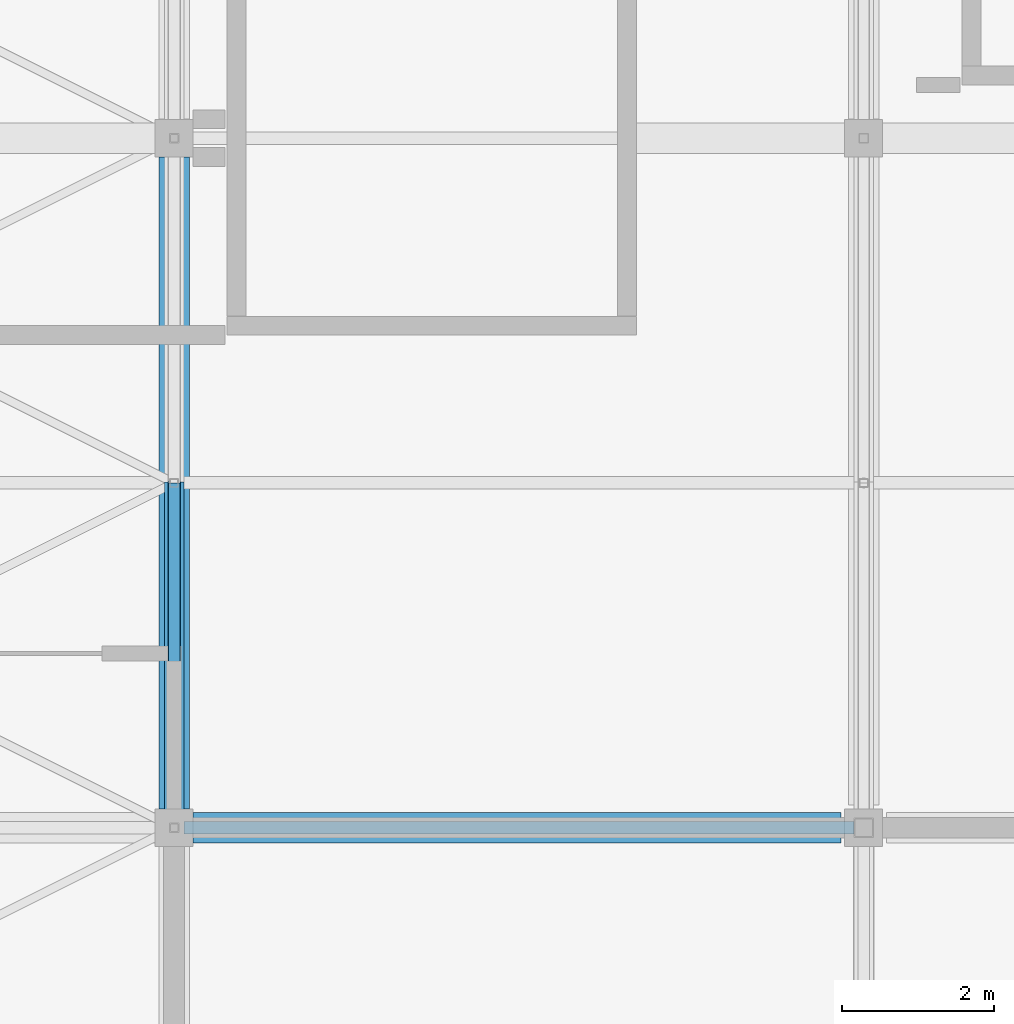
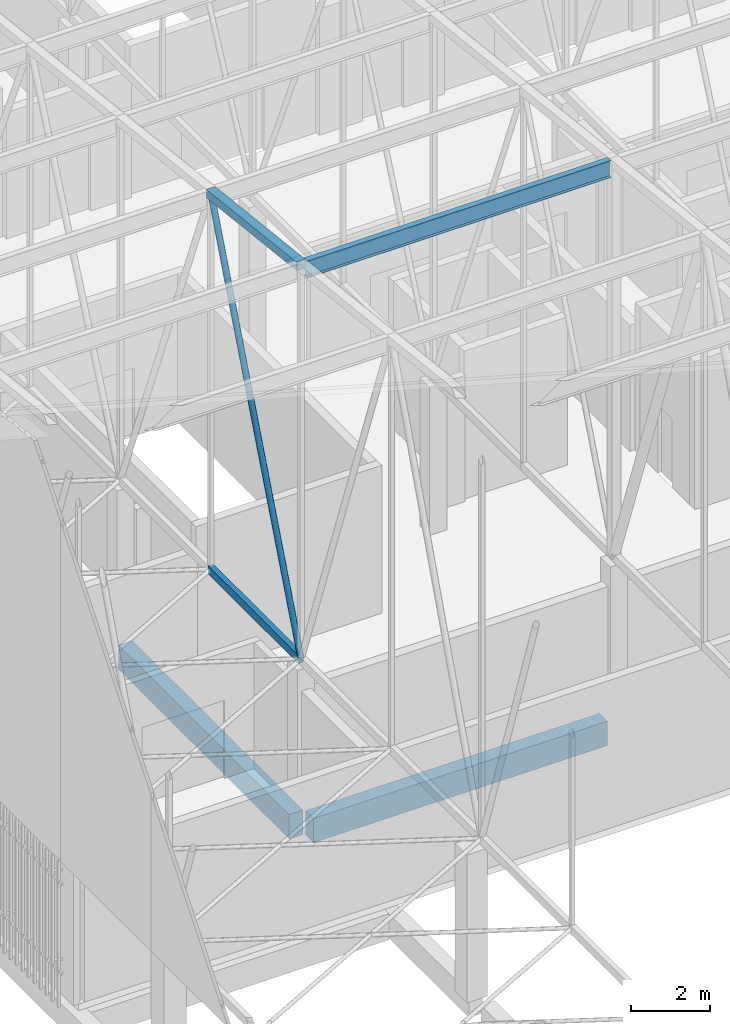
# One storey, part 184 of 500: 4 members, 2 beams.
"""IFC4 building model written with IfcOpenShell, lengths in metres."""

import ifcopenshell
import ifcopenshell.guid

model = None  # the IFC model being written
_history = None  # IfcOwnerHistory: only IFC2X3 demands one
_inside = {}  # id of a spatial element -> (the spatial element, [elements in it])
_under = {}  # id of a project, library or spatial element -> (it, [spatial elements below it])
_declared = {}  # id of a project -> (the project, [libraries it declares])
_typed = {}  # id of a type object -> (the type object, [elements of that type])
_made_of = {}  # id of a material, layer set ... -> (it, [elements and type objects made of it])


def new_model(schema):
    """Start an empty IFC model of exactly this schema.

    Asked for "IFC4X3", IfcOpenShell would pick the latest addendum, in which some entities
    have other attributes; the version numbers below select the first issue.
    IFC2X3 requires an IfcOwnerHistory on every rooted entity: one is made here for all.
    """
    global model, _history
    if schema == "IFC4X3":
        model = ifcopenshell.file(schema_version=(4, 3, 0, 0))
    else:
        model = ifcopenshell.file(schema=schema)
    _inside.clear()
    _under.clear()
    _declared.clear()
    _typed.clear()
    _made_of.clear()
    _history = None
    if model.schema == "IFC2X3":
        org = make("IfcOrganization", Name="unknown")
        user = make(
            "IfcPersonAndOrganization",
            ThePerson=make("IfcPerson", FamilyName="unknown"),
            TheOrganization=org,
        )
        app = make(
            "IfcApplication",
            ApplicationDeveloper=org,
            Version="unknown",
            ApplicationFullName="unknown",
            ApplicationIdentifier="unknown",
        )
        _history = make(
            "IfcOwnerHistory",
            OwningUser=user,
            OwningApplication=app,
            ChangeAction="ADDED",
            CreationDate=0,
        )
    return model


def make(cls, **values):
    """One entity of the class cls with the attributes given. An attribute that is None is left unset."""
    return model.create_entity(
        cls, **{name: value for name, value in values.items() if value is not None}
    )


def rooted(cls, **values):
    """An entity with a GlobalId (a new one), such as an element, a storey or a relation."""
    return make(cls, GlobalId=ifcopenshell.guid.new(), OwnerHistory=_history, **values)


def si_unit(unit_type, name, prefix=None):
    """IfcSIUnit, for example si_unit("LENGTHUNIT", "METRE", prefix="MILLI")."""
    return make("IfcSIUnit", UnitType=unit_type, Prefix=prefix, Name=name)


def assignment(units):
    """IfcUnitAssignment: the units of a project."""
    return None if units is None else make("IfcUnitAssignment", Units=units)


def point(xyz):
    """IfcCartesianPoint."""
    return None if xyz is None else make("IfcCartesianPoint", Coordinates=xyz)


def direction(xyz):
    """IfcDirection."""
    return None if xyz is None else make("IfcDirection", DirectionRatios=xyz)


def frame(location, z_axis=None, x_axis=None):
    """IfcAxis2Placement3D, a coordinate frame: its origin and axes. An axis left out is left unset."""
    return make(
        "IfcAxis2Placement3D",
        Location=point(location),
        Axis=direction(z_axis),
        RefDirection=direction(x_axis),
    )


def frame_2d(location, x_axis=None):
    """IfcAxis2Placement2D, a coordinate frame in the plane: its origin and x axis."""
    return make(
        "IfcAxis2Placement2D", Location=point(location), RefDirection=direction(x_axis)
    )


def origin():
    """The frame at (0, 0, 0) with its axes left unset."""
    return frame((0.0, 0.0, 0.0))


def origin_2d():
    """The frame at (0, 0) in the plane with its x axis left unset."""
    return frame_2d((0.0, 0.0))


def place(relative_to, where):
    """IfcLocalPlacement: puts the frame where relative to a parent placement (None: the world)."""
    return make(
        "IfcLocalPlacement", PlacementRelTo=relative_to, RelativePlacement=where
    )


def context(
    kind, dimensions, precision=None, world=None, true_north=None, identifier=None
):
    """IfcGeometricRepresentationContext, for example the 3D "Model" context."""
    return make(
        "IfcGeometricRepresentationContext",
        ContextIdentifier=identifier,
        ContextType=kind,
        CoordinateSpaceDimension=dimensions,
        Precision=precision,
        WorldCoordinateSystem=world,
        TrueNorth=true_north,
    )


def subcontext(parent, identifier, kind, view, scale=None):
    """IfcGeometricRepresentationSubContext, for example "Body" below "Model"."""
    return make(
        "IfcGeometricRepresentationSubContext",
        ContextIdentifier=identifier,
        ContextType=kind,
        ParentContext=parent,
        TargetScale=scale,
        TargetView=view,
    )


def project(units=None, contexts=None):
    """IfcProject with its units and contexts."""
    return rooted(
        "IfcProject",
        Name="project",
        RepresentationContexts=contexts,
        UnitsInContext=assignment(units),
    )


def spatial(cls, under=None, at=None, **own):
    """A site, building, storey or space (cls), placed at a placement, below another one or the project."""
    s = rooted(cls, ObjectPlacement=at, **own)
    if under is not None:
        _under.setdefault(under.id(), (under, []))[1].append(s)
    return s


def profile(cls, at=None, kind="AREA", **sizes):
    """A parametric profile (cls). Its sizes go by their IFC names, for example OverallWidth=200.0."""
    return make(cls, ProfileType=kind, Position=at, **sizes)


def rectangle(**sizes):
    """IfcRectangleProfileDef."""
    return profile("IfcRectangleProfileDef", **sizes)


def hollow_rectangle(**sizes):
    """IfcRectangleHollowProfileDef."""
    return profile("IfcRectangleHollowProfileDef", **sizes)


def hollow_circle(**sizes):
    """IfcCircleHollowProfileDef."""
    return profile("IfcCircleHollowProfileDef", **sizes)


def i_section(**sizes):
    """IfcIShapeProfileDef."""
    return profile("IfcIShapeProfileDef", **sizes)


def extrude(swept, where, along, depth):
    """IfcExtrudedAreaSolid: the profile swept, set in the frame where, extruded along a direction by depth."""
    return make(
        "IfcExtrudedAreaSolid",
        SweptArea=swept,
        Position=where,
        ExtrudedDirection=direction(along),
        Depth=depth,
    )


def shape(context_of_items, identifier, shape_type, items):
    """IfcShapeRepresentation: the items that make up one representation, for example the "Body"."""
    return make(
        "IfcShapeRepresentation",
        ContextOfItems=context_of_items,
        RepresentationIdentifier=identifier,
        RepresentationType=shape_type,
        Items=items,
    )


def material(Name=None, Category=None):
    """IfcMaterial."""
    return make("IfcMaterial", Name=Name, Category=Category)


def material_profile(
    of_material, cross_section, Name=None, Category=None, Priority=None
):
    """IfcMaterialProfile: a cross section and its material."""
    return make(
        "IfcMaterialProfile",
        Name=Name,
        Material=of_material,
        Profile=cross_section,
        Priority=Priority,
        Category=Category,
    )


def profile_set(profiles, Name=None, composite=None):
    """IfcMaterialProfileSet."""
    return make(
        "IfcMaterialProfileSet",
        Name=Name,
        MaterialProfiles=profiles,
        CompositeProfile=composite,
    )


def made_of(thing, what):
    """Note that an element or type object is made of a material, layer set ...; save() writes the relation."""
    if what is not None:
        _made_of.setdefault(what.id(), (what, []))[1].append(thing)
    return thing


def type_object(cls, material=None, **own):
    """A type object (cls), such as IfcWallType, which elements share."""
    return made_of(rooted(cls, **own), material)


def element(
    cls,
    number,
    at=None,
    inside=None,
    cuts=None,
    type_object=None,
    material=None,
    context=None,
    identifier="Body",
    shape_type=None,
    held_by="IfcProductDefinitionShape",
    body=None,
    shapes=None,
    **own,
):
    """One element of the class cls, such as IfcWall. Its Tag is "e" and its number.

    at: its placement. inside: the storey or other place that contains it. cuts: it is an
    opening in that element (IfcRelVoidsElement). A single representation is given by context,
    identifier, shape_type and body (its items); several are given by shapes. held_by: the class
    of the entity that holds the representations. save() writes the other relations.
    """
    e = rooted(cls, Tag="e%d" % number, ObjectPlacement=at, **own)
    if body is not None:
        shapes = [shape(context, identifier, shape_type, body)]
    if shapes is not None:
        e.Representation = make(held_by, Representations=shapes)
    if inside is not None:
        _inside.setdefault(inside.id(), (inside, []))[1].append(e)
    if cuts is not None:
        rooted(
            "IfcRelVoidsElement", RelatingBuildingElement=cuts, RelatedOpeningElement=e
        )
    if type_object is not None:
        _typed.setdefault(type_object.id(), (type_object, []))[1].append(e)
    return made_of(e, material)


def aggregate(whole, parts):
    """IfcRelAggregates: a whole, such as a stair, and the parts it consists of."""
    return rooted("IfcRelAggregates", RelatingObject=whole, RelatedObjects=parts)


def save(model, path):
    """Write the relations noted so far, then the file.

    IfcRelAggregates (storeys below a building ...), IfcRelContainedInSpatialStructure (elements
    in a storey), IfcRelDefinesByType, IfcRelAssociatesMaterial and IfcRelDeclares: one each for
    every whole, place, type object, material and project.
    """
    for whole, parts in _under.values():
        aggregate(whole, parts)
    for where, things in _inside.values():
        rooted(
            "IfcRelContainedInSpatialStructure",
            RelatedElements=things,
            RelatingStructure=where,
        )
    for kind, things in _typed.values():
        rooted("IfcRelDefinesByType", RelatedObjects=things, RelatingType=kind)
    for what, things in _made_of.values():
        rooted("IfcRelAssociatesMaterial", RelatedObjects=things, RelatingMaterial=what)
    for by, libraries in _declared.values():
        rooted("IfcRelDeclares", RelatingContext=by, RelatedDefinitions=libraries)
    model.write(path)


model = new_model("IFC4")

# Units and contexts
model_context = context("Model", 3, precision=1e-05, world=origin(), true_north=direction((0.0, 1.0)))
body_context = subcontext(model_context, "Body", "Model", "MODEL_VIEW")
ifc_project = project(units=[si_unit("LENGTHUNIT", "METRE"), si_unit("AREAUNIT", "SQUARE_METRE"), si_unit("VOLUMEUNIT", "CUBIC_METRE"), si_unit("PLANEANGLEUNIT", "RADIAN"), si_unit("MASSUNIT", "GRAM", prefix="KILO")], contexts=[model_context])

# Site, building, storey
site_placement = place(None, origin())
site = spatial("IfcSite", under=ifc_project, at=site_placement, CompositionType="ELEMENT")
building_placement = place(site_placement, origin())
building = spatial("IfcBuilding", under=site, at=building_placement, Name="Shirokan Park Arena", CompositionType="ELEMENT")
storey_placement = place(building_placement, frame((0.0, 0.0, 29.1201171875)))
storey = spatial("IfcBuildingStorey", under=building, at=storey_placement, Name="L06", CompositionType="ELEMENT", Elevation=29.1201171875)

# Members
ifc_material_1 = material(Name="Steel ASTM A500 Grade C", Category="steel")
ifc_material_profile_1 = material_profile(ifc_material_1, hollow_rectangle(XDim=0.152099609375, YDim=0.25390625, WallThickness=0.009521484375, at=origin_2d()), Name="HSS254X152.4X9.5")
ifc_profile_set_1 = profile_set([ifc_material_profile_1], Name="Steel ASTM A500 Grade C")
member_type_1 = type_object("IfcMemberType", Name="Bottom chord HSS254X152.4X9.5", PredefinedType="CHORD", material=ifc_profile_set_1)
member_1_placement = place(storey_placement, frame((9.10009765625, 72.800048828125, 4.677001953125), z_axis=(0.0, 1.0, 0.0), x_axis=(-1.0, 0.0, 0.0)))
element("IfcMember", 1, at=member_1_placement, inside=storey, type_object=member_type_1, Name="Truss T02 bottom chord 19", PredefinedType="CHORD", context=body_context, shape_type="SweptSolid", body=[
    extrude(hollow_rectangle(XDim=0.152099609375, YDim=0.25390625, WallThickness=0.009521484375, at=origin_2d()), origin(), (0.0, 0.0, 1.0), 4.550048828125),
])
ifc_material_2 = material(Name="Steel ASTM A992", Category="steel")
ifc_material_profile_2 = material_profile(ifc_material_2, i_section(OverallWidth=0.166015625, OverallDepth=0.528076171875, WebThickness=0.009765625, FlangeThickness=0.013671875, at=origin_2d()), Name="W530X74")
ifc_profile_set_2 = profile_set([ifc_material_profile_2], Name="Steel ASTM A992")
member_type_2 = type_object("IfcMemberType", Name="Purlin W530X74", PredefinedType="PURLIN", material=ifc_profile_set_2)
member_2_placement = place(storey_placement, frame((9.22705078125, 72.800048828125, 16.64599609375), z_axis=(1.0, 0.0, 0.0), x_axis=(0.0, 1.0, 0.0)))
element("IfcMember", 2, at=member_2_placement, inside=storey, type_object=member_type_2, Name="Purlin 19 bay 2", PredefinedType="PURLIN", context=body_context, shape_type="SweptSolid", body=[
    extrude(i_section(OverallWidth=0.166015625, OverallDepth=0.528076171875, WebThickness=0.009765625, FlangeThickness=0.013671875, at=origin_2d()), origin(), (0.0, 0.0, 1.0), 8.845947265625),
])

# Beams
ifc_material_3 = material(Name="Concrete C35", Category="concrete")
ifc_material_profile_3 = material_profile(ifc_material_3, rectangle(XDim=0.39990234375, YDim=0.75, at=origin_2d()), Name="400x750")
ifc_profile_set_3 = profile_set([ifc_material_profile_3], Name="Concrete C35")
beam_type = type_object("IfcBeamType", Name="RC girder 400x750", PredefinedType="BEAM", material=ifc_profile_set_3)
beam_1_placement = place(storey_placement, frame((9.35009765625, 72.800048828125, -0.5751953125), z_axis=(1.0, 0.0, 0.0), x_axis=(0.0, 1.0, 0.0)))
element("IfcBeam", 3, at=beam_1_placement, inside=storey, type_object=beam_type, Name="Girder 2J-3J L06", PredefinedType="BEAM", context=body_context, shape_type="SweptSolid", body=[
    extrude(rectangle(XDim=0.39990234375, YDim=0.75, at=origin_2d()), origin(), (0.0, 0.0, 1.0), 8.5498046875),
])
beam_2_placement = place(storey_placement, frame((9.10009765625, 73.050048828125, -0.5751953125), z_axis=(0.0, 1.0, 0.0), x_axis=(-1.0, 0.0, 0.0)))
element("IfcBeam", 4, at=beam_2_placement, inside=storey, type_object=beam_type, Name="Girder 2J-2K L06", PredefinedType="BEAM", context=body_context, shape_type="SweptSolid", body=[
    extrude(rectangle(XDim=0.39990234375, YDim=0.75, at=origin_2d()), origin(), (0.0, 0.0, 1.0), 8.599853515625),
])

# Members
ifc_material_profile_4 = material_profile(ifc_material_1, hollow_rectangle(XDim=0.25390625, YDim=0.25390625, WallThickness=0.009521484375, at=origin_2d()), Name="HSS254X254X9.5")
ifc_profile_set_4 = profile_set([ifc_material_profile_4], Name="Steel ASTM A500 Grade C")
member_type_3 = type_object("IfcMemberType", Name="Top chord HSS254X254X9.5", PredefinedType="CHORD", material=ifc_profile_set_4)
member_3_placement = place(storey_placement, frame((9.10009765625, 72.800048828125, 16.782958984375), z_axis=(0.0, 0.993532328996, -0.113549598152), x_axis=(-1.0, 0.0, 0.0)))
element("IfcMember", 5, at=member_3_placement, inside=storey, type_object=member_type_3, Name="Truss T02 top chord 19", PredefinedType="CHORD", context=body_context, shape_type="SweptSolid", body=[
    extrude(hollow_rectangle(XDim=0.25390625, YDim=0.25390625, WallThickness=0.009521484375, at=origin_2d()), origin(), (0.0, 0.0, 1.0), 4.57958984375),
])
ifc_material_profile_5 = material_profile(ifc_material_1, hollow_circle(Radius=0.083984375, WallThickness=0.009521484375, at=origin_2d()), Name="HSS168.3X9.5")
ifc_profile_set_5 = profile_set([ifc_material_profile_5], Name="Steel ASTM A500 Grade C")
member_type_4 = type_object("IfcMemberType", Name="Truss diagonal HSS168.3X9.5", PredefinedType="BRACE", material=ifc_profile_set_5)
member_4_placement = place(storey_placement, frame((9.10009765625, 72.800048828125, 4.677001953125), z_axis=(0.0, 0.365543139237, 0.930794399079), x_axis=(-1.0, 0.0, 0.0)))
element("IfcMember", 6, at=member_4_placement, inside=storey, type_object=member_type_4, Name="Truss T02 diagonal 19", PredefinedType="BRACE", context=body_context, shape_type="SweptSolid", body=[
    extrude(hollow_circle(Radius=0.083984375, WallThickness=0.009521484375, at=origin_2d()), origin(), (0.0, 0.0, 1.0), 12.447265625),
])

save(model, "model.ifc")
